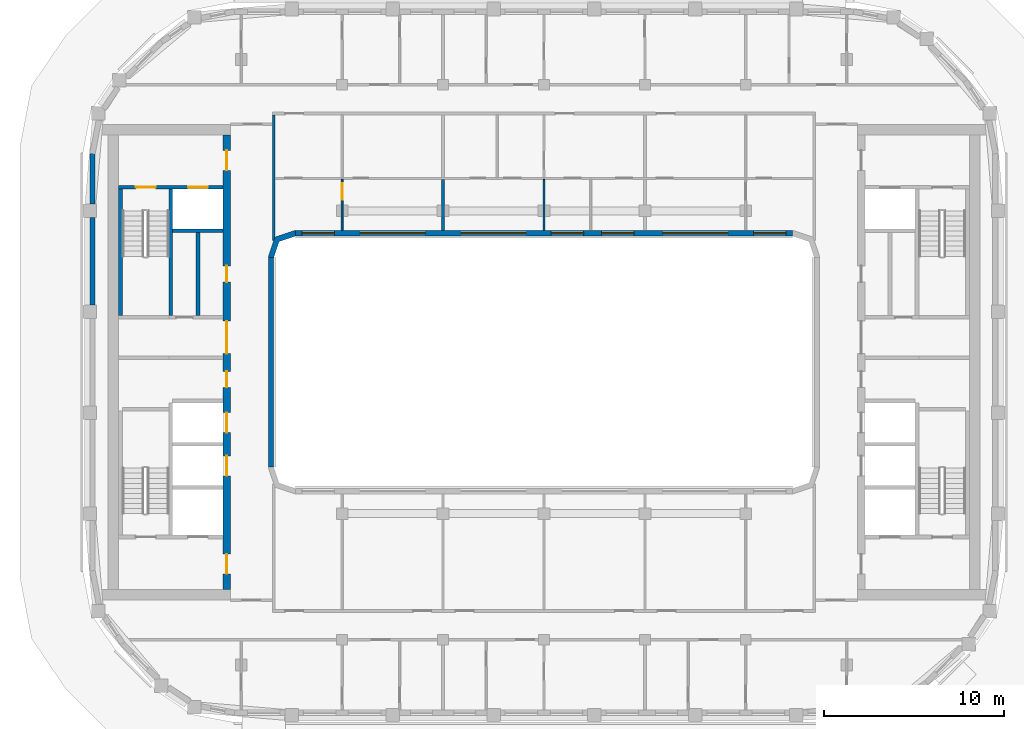
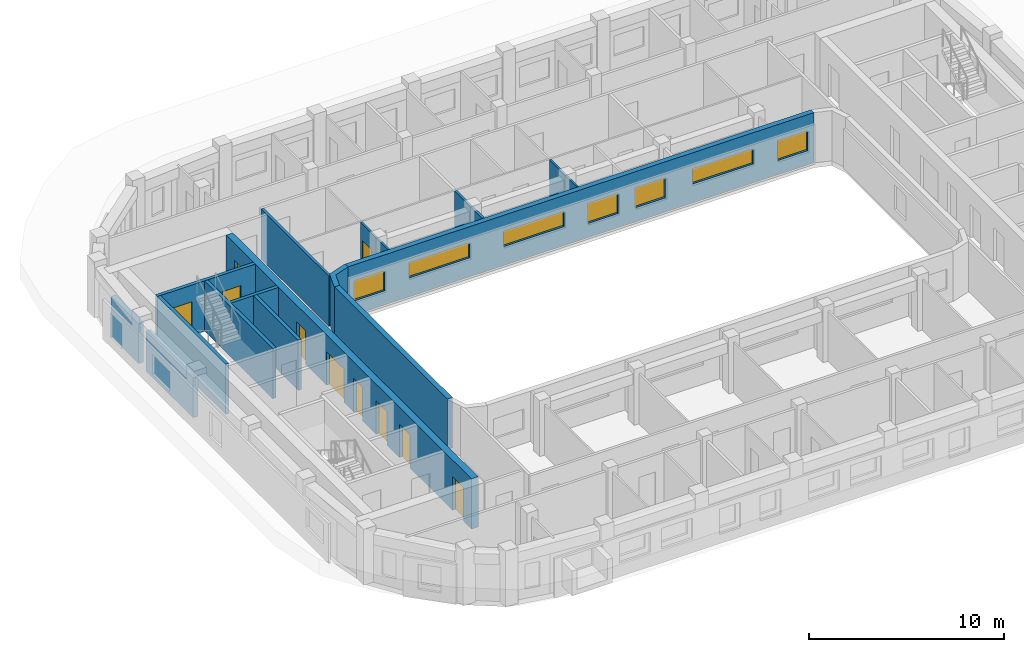
# One storey, part 4 of 14: 15 walls, 10 doors, 7 windows, 17 openings.
"""IFC4 building model written with IfcOpenShell, lengths in metres."""

from ifc_helpers import new_model, si_unit, direction, frame, frame_2d, origin, place, context, subcontext, project, spatial, polyline, rectangle, outline, extrude, material, layer, layer_set, type_object, element, fill, save


model = new_model("IFC4")

# Units and contexts
model_context = context("Model", 3, precision=1e-05, world=origin(), true_north=direction((0.0, 1.0)))
body_context = subcontext(model_context, "Body", "Model", "MODEL_VIEW")
ifc_project = project(units=[si_unit("LENGTHUNIT", "METRE"), si_unit("AREAUNIT", "SQUARE_METRE"), si_unit("VOLUMEUNIT", "CUBIC_METRE"), si_unit("PLANEANGLEUNIT", "RADIAN"), si_unit("MASSUNIT", "GRAM", prefix="KILO")], contexts=[model_context])

# Site, building, storey
site_placement = place(None, origin())
site = spatial("IfcSite", under=ifc_project, at=site_placement, CompositionType="ELEMENT")
building_placement = place(site_placement, origin())
building = spatial("IfcBuilding", under=site, at=building_placement, Name="Kiln Ring Residences", CompositionType="ELEMENT")
storey_placement = place(building_placement, frame((0.0, 0.0, 280.199951171875)))
storey = spatial("IfcBuildingStorey", under=building, at=storey_placement, Name="L73", CompositionType="ELEMENT", Elevation=280.199951171875)

# Walls
ifc_material_1 = material(Name="Gypsum board on steel studs", Category="steel")
ifc_layer_1 = layer(ifc_material_1, 0.199951171875)
ifc_layer_set_1 = layer_set([ifc_layer_1], Name="CORE-PARTITION-200")
wall_type_1 = type_object("IfcWallType", Name="CORE-PARTITION-200", PredefinedType="PARTITIONING", material=ifc_layer_set_1)
wall_1_placement = place(storey_placement, frame((-19.199951171875, 2.60009765625, 0.0), z_axis=(0.0, 0.0, 1.0), x_axis=(0.0, 1.0, 0.0)))
element("IfcWall", 1, at=wall_1_placement, inside=storey, type_object=wall_type_1, Name="Core partition west L73 2", PredefinedType="PARTITIONING", context=body_context, shape_type="SweptSolid", body=[
    extrude(rectangle(XDim=4.599853515625, YDim=0.199951171875, at=frame_2d((2.2998046875, 0.0))), origin(), (0.0, 0.0, 1.0), 3.150146484375),
])
ifc_material_2 = material(Name="Gypsum shaft wall system")
ifc_layer_2 = layer(ifc_material_2, 0.199951171875)
ifc_layer_set_2 = layer_set([ifc_layer_2], Name="CORE-SHAFT-WALL-200")
wall_type_2 = type_object("IfcWallType", Name="CORE-SHAFT-WALL-200", PredefinedType="PARTITIONING", material=ifc_layer_set_2)
wall_2_placement = place(storey_placement, frame((-17.800048828125, 7.300048828125, 0.0), z_axis=(0.0, 0.0, 1.0), x_axis=(-1.0, 0.0, 0.0)))
element("IfcWall", 2, at=wall_2_placement, inside=storey, type_object=wall_type_2, Name="Core partition west L73 8", PredefinedType="PARTITIONING", context=body_context, shape_type="SweptSolid", body=[
    extrude(rectangle(XDim=2.800048828125, YDim=0.199951171875, at=frame_2d((1.39990234375, 0.0))), origin(), (0.0, 0.0, 1.0), 3.150146484375),
])
ifc_material_3 = material(Name="Concrete C40/50", Category="concrete")
ifc_layer_3 = layer(ifc_material_3, 0.199951171875)
ifc_layer_set_3 = layer_set([ifc_layer_3], Name="CORE-WALL-RC200")
wall_type_3 = type_object("IfcWallType", Name="CORE-WALL-RC200", PredefinedType="SHEAR", material=ifc_layer_set_3)
wall_3_placement = place(storey_placement, frame((-20.699951171875, 2.60009765625, 0.0), z_axis=(0.0, 0.0, 1.0), x_axis=(0.0, 1.0, 0.0)))
element("IfcWall", 3, at=wall_3_placement, inside=storey, type_object=wall_type_3, Name="Core wall west L73 1", PredefinedType="SHEAR", context=body_context, shape_type="SweptSolid", body=[
    extrude(rectangle(XDim=7.0, YDim=0.199951171875, at=frame_2d((3.5, 0.0))), origin(), (0.0, 0.0, 1.0), 3.150146484375),
])

# Wall, openings, doors
wall_4_placement = place(storey_placement, frame((-17.800048828125, 9.699951171875, 0.0), z_axis=(0.0, 0.0, 1.0), x_axis=(-1.0, 0.0, 0.0)))
wall_4 = element("IfcWall", 4, at=wall_4_placement, inside=storey, type_object=wall_type_3, Name="Core wall west L73 9", PredefinedType="SHEAR", context=body_context, shape_type="SweptSolid", body=[
    extrude(rectangle(XDim=5.800048828125, YDim=0.199951171875, at=frame_2d((2.89990234375, 0.0))), origin(), (0.0, 0.0, 1.0), 3.150146484375),
])
opening_1_placement = place(wall_4_placement, frame((0.85009765625, 0.0, 0.0)))
opening_1 = element("IfcOpeningElement", 5, at=opening_1_placement, cuts=wall_4, Name="Opening L73-CW07", PredefinedType="OPENING", context=body_context, shape_type="SweptSolid", body=[
    extrude(rectangle(XDim=1.10009765625, YDim=2.10009765625, at=frame_2d((0.550048828125, 1.050048828125))), frame((0.0, 0.10986328125, 0.0), z_axis=(0.0, -1.0, 0.0), x_axis=(1.0, 0.0, 0.0)), (0.0, 0.0, 1.0), 0.219970703125),
])
opening_2_placement = place(wall_4_placement, frame((3.75, 0.0, 0.0)))
opening_2 = element("IfcOpeningElement", 6, at=opening_2_placement, cuts=wall_4, Name="Opening L73-CW10", PredefinedType="OPENING", context=body_context, shape_type="SweptSolid", body=[
    extrude(rectangle(XDim=1.10009765625, YDim=2.10009765625, at=frame_2d((0.550048828125, 1.050048828125))), frame((0.0, 0.10986328125, 0.0), z_axis=(0.0, -1.0, 0.0), x_axis=(1.0, 0.0, 0.0)), (0.0, 0.0, 1.0), 0.219970703125),
])
ifc_material_4 = material(Name="Steel door leaf", Category="steel")
door_type_1 = type_object("IfcDoorType", Name="CORE-DOOR-LD", OperationType="DOUBLE_DOOR_SLIDING", PredefinedType="DOOR", material=ifc_material_4)
door_1_placement = place(opening_1_placement, origin())
door_1 = element("IfcDoor", 7, at=door_1_placement, inside=storey, type_object=door_type_1, Name="LD W-FF L73-CW07", OperationType="DOUBLE_DOOR_SLIDING", OverallHeight=2.10009765625, OverallWidth=1.10009765625, PredefinedType="DOOR", context=body_context, shape_type="SweptSolid", body=[
    extrude(rectangle(XDim=1.10009765625, YDim=2.10009765625, at=frame_2d((0.550048828125, 1.050048828125))), frame((0.0, 0.02490234375, 0.0), z_axis=(0.0, -1.0, 0.0), x_axis=(1.0, 0.0, 0.0)), (0.0, 0.0, 1.0), 0.050048828125),
])
fill(opening_1, door_1)
ifc_material_5 = material(Name="Steel door leaf", Category="steel")
door_type_2 = type_object("IfcDoorType", Name="CORE-DOOR-STAIR", OperationType="SINGLE_SWING_LEFT", PredefinedType="DOOR", material=ifc_material_5)
door_2_placement = place(opening_2_placement, origin())
door_2 = element("IfcDoor", 8, at=door_2_placement, inside=storey, type_object=door_type_2, Name="Stair W-STN L73-CW10", OperationType="SINGLE_SWING_RIGHT", OverallHeight=2.10009765625, OverallWidth=1.10009765625, PredefinedType="DOOR", context=body_context, shape_type="SweptSolid", body=[
    extrude(rectangle(XDim=1.10009765625, YDim=2.10009765625, at=frame_2d((0.550048828125, 1.050048828125))), frame((0.0, 0.02490234375, 0.0), z_axis=(0.0, -1.0, 0.0), x_axis=(1.0, 0.0, 0.0)), (0.0, 0.0, 1.0), 0.050048828125),
])
fill(opening_2, door_2)

# Wall
wall_5_placement = place(storey_placement, frame((-23.5, 2.60009765625, 0.0), z_axis=(0.0, 0.0, 1.0), x_axis=(0.0, 1.0, 0.0)))
element("IfcWall", 9, at=wall_5_placement, inside=storey, type_object=wall_type_3, Name="Core wall west L73 10", PredefinedType="SHEAR", context=body_context, shape_type="SweptSolid", body=[
    extrude(rectangle(XDim=7.0, YDim=0.199951171875, at=frame_2d((3.5, 0.0))), origin(), (0.0, 0.0, 1.0), 3.150146484375),
])

# Wall, openings, doors
ifc_material_6 = material(Name="Concrete C60/75", Category="concrete")
ifc_layer_4 = layer(ifc_material_6, 0.39990234375)
ifc_layer_set_4 = layer_set([ifc_layer_4], Name="CORE-WALL-RC400")
wall_type_4 = type_object("IfcWallType", Name="CORE-WALL-RC400", PredefinedType="SHEAR", material=ifc_layer_set_4)
wall_6_placement = place(storey_placement, frame((-17.60009765625, -12.60009765625, 0.0), z_axis=(0.0, 0.0, 1.0), x_axis=(0.0, 1.0, 0.0)))
wall_6 = element("IfcWall", 10, at=wall_6_placement, inside=storey, type_object=wall_type_4, Name="Core wall west L73 6", PredefinedType="SHEAR", context=body_context, shape_type="SweptSolid", body=[
    extrude(rectangle(XDim=25.2001953125, YDim=0.39990234375, at=frame_2d((12.60009765625, 0.0))), origin(), (0.0, 0.0, 1.0), 3.150146484375),
])
opening_3_placement = place(wall_6_placement, frame((6.300048828125, 0.0, 0.0)))
opening_3 = element("IfcOpeningElement", 11, at=opening_3_placement, cuts=wall_6, Name="Opening L73-CW02", PredefinedType="OPENING", context=body_context, shape_type="SweptSolid", body=[
    extrude(rectangle(XDim=1.10009765625, YDim=2.10009765625, at=frame_2d((0.550048828125, 1.050048828125))), frame((0.0, 0.2099609375, 0.0), z_axis=(0.0, -1.0, 0.0), x_axis=(1.0, 0.0, 0.0)), (0.0, 0.0, 1.0), 0.419921875),
])
opening_4_placement = place(wall_6_placement, frame((8.699951171875, 0.0, 0.0)))
opening_4 = element("IfcOpeningElement", 12, at=opening_4_placement, cuts=wall_6, Name="Opening L73-CW03", PredefinedType="OPENING", context=body_context, shape_type="SweptSolid", body=[
    extrude(rectangle(XDim=1.10009765625, YDim=2.10009765625, at=frame_2d((0.550048828125, 1.050048828125))), frame((0.0, 0.2099609375, 0.0), z_axis=(0.0, -1.0, 0.0), x_axis=(1.0, 0.0, 0.0)), (0.0, 0.0, 1.0), 0.419921875),
])
opening_5_placement = place(wall_6_placement, frame((11.199951171875, 0.0, 0.0)))
opening_5 = element("IfcOpeningElement", 13, at=opening_5_placement, cuts=wall_6, Name="Opening L73-CW04", PredefinedType="OPENING", context=body_context, shape_type="SweptSolid", body=[
    extrude(rectangle(XDim=0.89990234375, YDim=2.10009765625, at=frame_2d((0.449951171875, 1.050048828125))), frame((0.0, 0.2099609375, 0.0), z_axis=(0.0, -1.0, 0.0), x_axis=(1.0, 0.0, 0.0)), (0.0, 0.0, 1.0), 0.419921875),
])
opening_6_placement = place(wall_6_placement, frame((17.050048828125, 0.0, 0.0)))
opening_6 = element("IfcOpeningElement", 14, at=opening_6_placement, cuts=wall_6, Name="Opening L73-CW05", PredefinedType="OPENING", context=body_context, shape_type="SweptSolid", body=[
    extrude(rectangle(XDim=0.89990234375, YDim=2.10009765625, at=frame_2d((0.449951171875, 1.050048828125))), frame((0.0, 0.2099609375, 0.0), z_axis=(0.0, -1.0, 0.0), x_axis=(1.0, 0.0, 0.0)), (0.0, 0.0, 1.0), 0.419921875),
])
opening_7_placement = place(wall_6_placement, frame((23.25, 0.0, 0.0)))
opening_7 = element("IfcOpeningElement", 15, at=opening_7_placement, cuts=wall_6, Name="Opening L73-CW08", PredefinedType="OPENING", context=body_context, shape_type="SweptSolid", body=[
    extrude(rectangle(XDim=1.10009765625, YDim=2.10009765625, at=frame_2d((0.550048828125, 1.050048828125))), frame((0.0, 0.2099609375, 0.0), z_axis=(0.0, -1.0, 0.0), x_axis=(1.0, 0.0, 0.0)), (0.0, 0.0, 1.0), 0.419921875),
])
opening_8_placement = place(wall_6_placement, frame((0.85009765625, 0.0, 0.0)))
opening_8 = element("IfcOpeningElement", 16, at=opening_8_placement, cuts=wall_6, Name="Opening L73-CW09", PredefinedType="OPENING", context=body_context, shape_type="SweptSolid", body=[
    extrude(rectangle(XDim=1.10009765625, YDim=2.10009765625, at=frame_2d((0.550048828125, 1.050048828125))), frame((0.0, 0.2099609375, 0.0), z_axis=(0.0, -1.0, 0.0), x_axis=(1.0, 0.0, 0.0)), (0.0, 0.0, 1.0), 0.419921875),
])
opening_9_placement = place(wall_6_placement, frame((13.074951171875, 0.0, 0.0)))
opening_9 = element("IfcOpeningElement", 17, at=opening_9_placement, cuts=wall_6, Name="Opening L73-CW12", PredefinedType="OPENING", context=body_context, shape_type="SweptSolid", body=[
    extrude(rectangle(XDim=1.800048828125, YDim=2.10009765625, at=frame_2d((0.89990234375, 1.050048828125))), frame((0.0, 0.2099609375, 0.0), z_axis=(0.0, -1.0, 0.0), x_axis=(1.0, 0.0, 0.0)), (0.0, 0.0, 1.0), 0.419921875),
])
door_3_placement = place(opening_3_placement, origin())
door_3 = element("IfcDoor", 18, at=door_3_placement, inside=storey, type_object=door_type_1, Name="LD W-H1 L73-CW02", OperationType="DOUBLE_DOOR_SLIDING", OverallHeight=2.10009765625, OverallWidth=1.10009765625, PredefinedType="DOOR", context=body_context, shape_type="SweptSolid", body=[
    extrude(rectangle(XDim=1.10009765625, YDim=2.10009765625, at=frame_2d((0.550048828125, 1.050048828125))), frame((0.0, 0.02490234375, 0.0), z_axis=(0.0, -1.0, 0.0), x_axis=(1.0, 0.0, 0.0)), (0.0, 0.0, 1.0), 0.050048828125),
])
fill(opening_3, door_3)
door_4_placement = place(opening_4_placement, origin())
door_4 = element("IfcDoor", 19, at=door_4_placement, inside=storey, type_object=door_type_1, Name="LD W-H2 L73-CW03", OperationType="DOUBLE_DOOR_SLIDING", OverallHeight=2.10009765625, OverallWidth=1.10009765625, PredefinedType="DOOR", context=body_context, shape_type="SweptSolid", body=[
    extrude(rectangle(XDim=1.10009765625, YDim=2.10009765625, at=frame_2d((0.550048828125, 1.050048828125))), frame((0.0, 0.02490234375, 0.0), z_axis=(0.0, -1.0, 0.0), x_axis=(1.0, 0.0, 0.0)), (0.0, 0.0, 1.0), 0.050048828125),
])
fill(opening_4, door_4)
ifc_material_7 = material(Name="Steel door leaf", Category="steel")
door_type_3 = type_object("IfcDoorType", Name="CORE-DOOR-LOBBY", OperationType="SINGLE_SWING_LEFT", PredefinedType="DOOR", material=ifc_material_7)
door_5_placement = place(opening_7_placement, origin())
door_5 = element("IfcDoor", 20, at=door_5_placement, inside=storey, type_object=door_type_3, Name="FFL L73-CW08", OperationType="SINGLE_SWING_LEFT", OverallHeight=2.10009765625, OverallWidth=1.10009765625, PredefinedType="DOOR", context=body_context, shape_type="SweptSolid", body=[
    extrude(rectangle(XDim=1.10009765625, YDim=2.10009765625, at=frame_2d((0.550048828125, 1.050048828125))), frame((0.0, 0.02490234375, 0.0), z_axis=(0.0, -1.0, 0.0), x_axis=(1.0, 0.0, 0.0)), (0.0, 0.0, 1.0), 0.050048828125),
])
fill(opening_7, door_5)
door_6_placement = place(opening_8_placement, origin())
door_6 = element("IfcDoor", 21, at=door_6_placement, inside=storey, type_object=door_type_3, Name="SVL L73-CW09", OperationType="SINGLE_SWING_RIGHT", OverallHeight=2.10009765625, OverallWidth=1.10009765625, PredefinedType="DOOR", context=body_context, shape_type="SweptSolid", body=[
    extrude(rectangle(XDim=1.10009765625, YDim=2.10009765625, at=frame_2d((0.550048828125, 1.050048828125))), frame((0.0, 0.02490234375, 0.0), z_axis=(0.0, -1.0, 0.0), x_axis=(1.0, 0.0, 0.0)), (0.0, 0.0, 1.0), 0.050048828125),
])
fill(opening_8, door_6)
ifc_material_8 = material(Name="Steel door leaf", Category="steel")
door_type_4 = type_object("IfcDoorType", Name="CORE-DOOR-PASS", OperationType="DOUBLE_DOOR_SINGLE_SWING", PredefinedType="DOOR", material=ifc_material_8)
door_7_placement = place(opening_9_placement, origin())
door_7 = element("IfcDoor", 22, at=door_7_placement, inside=storey, type_object=door_type_4, Name="Core passage L73-CW12", OperationType="DOUBLE_DOOR_SINGLE_SWING", OverallHeight=2.10009765625, OverallWidth=1.800048828125, PredefinedType="DOOR", context=body_context, shape_type="SweptSolid", body=[
    extrude(rectangle(XDim=1.800048828125, YDim=2.10009765625, at=frame_2d((0.89990234375, 1.050048828125))), frame((0.0, 0.02490234375, 0.0), z_axis=(0.0, -1.0, 0.0), x_axis=(1.0, 0.0, 0.0)), (0.0, 0.0, 1.0), 0.050048828125),
])
fill(opening_9, door_7)
ifc_material_9 = material(Name="Steel door leaf", Category="steel")
door_type_5 = type_object("IfcDoorType", Name="CORE-DOOR-ROOM", OperationType="SINGLE_SWING_LEFT", PredefinedType="DOOR", material=ifc_material_9)
door_8_placement = place(opening_5_placement, origin())
door_8 = element("IfcDoor", 23, at=door_8_placement, inside=storey, type_object=door_type_5, Name="Linen store L73-CW04", OperationType="SINGLE_SWING_RIGHT", OverallHeight=2.10009765625, OverallWidth=0.89990234375, PredefinedType="DOOR", context=body_context, shape_type="SweptSolid", body=[
    extrude(rectangle(XDim=0.89990234375, YDim=2.10009765625, at=frame_2d((0.449951171875, 1.050048828125))), frame((0.0, 0.02490234375, 0.0), z_axis=(0.0, -1.0, 0.0), x_axis=(1.0, 0.0, 0.0)), (0.0, 0.0, 1.0), 0.050048828125),
])
fill(opening_5, door_8)
door_9_placement = place(opening_6_placement, origin())
door_9 = element("IfcDoor", 24, at=door_9_placement, inside=storey, type_object=door_type_5, Name="Janitor's store L73-CW05", OperationType="SINGLE_SWING_LEFT", OverallHeight=2.10009765625, OverallWidth=0.89990234375, PredefinedType="DOOR", context=body_context, shape_type="SweptSolid", body=[
    extrude(rectangle(XDim=0.89990234375, YDim=2.10009765625, at=frame_2d((0.449951171875, 1.050048828125))), frame((0.0, 0.02490234375, 0.0), z_axis=(0.0, -1.0, 0.0), x_axis=(1.0, 0.0, 0.0)), (0.0, 0.0, 1.0), 0.050048828125),
])
fill(opening_6, door_9)

# Walls
ifc_material_10 = material(Name="Brick masonry, dark clay brick", Category="masonry")
ifc_layer_5 = layer(ifc_material_10, 0.300048828125)
ifc_layer_set_5 = layer_set([ifc_layer_5], Name="EW-300 BRICK WALL")
wall_type_5 = type_object("IfcWallType", Name="EW-300 BRICK WALL", PredefinedType="SOLIDWALL", material=ifc_layer_set_5)
wall_7_placement = place(storey_placement, frame((-25.050048828125, 11.60009765625, 0.0), z_axis=(0.0, 0.0, 1.0), x_axis=(0.0, -1.0, 0.0)))
element("IfcWall", 25, at=wall_7_placement, inside=storey, type_object=wall_type_5, Name="Facade wall L73 38", PredefinedType="SOLIDWALL", context=body_context, shape_type="SweptSolid", body=[
    extrude(rectangle(XDim=2.8251953125, YDim=0.300048828125, at=frame_2d((1.41259765625, 0.0))), origin(), (0.0, 0.0, 1.0), 2.5),
])
wall_8_placement = place(storey_placement, frame((-25.050048828125, 8.02490234375, 0.0), z_axis=(0.0, 0.0, 1.0), x_axis=(0.0, -1.0, 0.0)))
element("IfcWall", 26, at=wall_8_placement, inside=storey, type_object=wall_type_5, Name="Facade wall L73 39", PredefinedType="SOLIDWALL", context=body_context, shape_type="SweptSolid", body=[
    extrude(rectangle(XDim=4.849853515625, YDim=0.300048828125, at=frame_2d((2.4248046875, 0.0))), origin(), (0.0, 0.0, 1.0), 2.5),
])
wall_9_placement = place(storey_placement, frame((-15.14990234375, -5.800048828125, 0.0), z_axis=(0.0, 0.0, 1.0), x_axis=(0.0, 1.0, 0.0)))
element("IfcWall", 27, at=wall_9_placement, inside=storey, type_object=wall_type_5, Name="Facade wall L73 45", PredefinedType="SOLIDWALL", context=body_context, shape_type="SweptSolid", body=[
    extrude(rectangle(XDim=11.60009765625, YDim=0.300048828125, at=frame_2d((5.800048828125, 0.0))), origin(), (0.0, 0.0, 1.0), 3.150146484375),
])

# Wall, openings, windows
wall_10_placement = place(storey_placement, frame((-13.800048828125, 7.14990234375, 0.0), z_axis=(0.0, 0.0, 1.0), x_axis=(1.0, 0.0, 0.0)))
wall_10 = element("IfcWall", 28, at=wall_10_placement, inside=storey, type_object=wall_type_5, Name="Facade wall L73 46", PredefinedType="SOLIDWALL", context=body_context, shape_type="SweptSolid", body=[
    extrude(rectangle(XDim=27.60009765625, YDim=0.300048828125, at=frame_2d((13.800048828125, 0.0))), origin(), (0.0, 0.0, 1.0), 3.150146484375),
])
opening_10_placement = place(wall_10_placement, frame((0.362548828125, 0.0, 0.89990234375)))
opening_10 = element("IfcOpeningElement", 29, at=opening_10_placement, cuts=wall_10, Name="Opening W2", PredefinedType="OPENING", context=body_context, shape_type="SweptSolid", body=[
    extrude(rectangle(XDim=1.800048828125, YDim=1.25, at=frame_2d((0.89990234375, 0.625))), frame((0.0, 0.159912109375, 0.0), z_axis=(0.0, -1.0, 0.0), x_axis=(1.0, 0.0, 0.0)), (0.0, 0.0, 1.0), 0.320068359375),
])
opening_11_placement = place(wall_10_placement, frame((3.60009765625, 0.0, 1.199951171875)))
opening_11 = element("IfcOpeningElement", 30, at=opening_11_placement, cuts=wall_10, Name="Opening W4", PredefinedType="OPENING", context=body_context, shape_type="SweptSolid", body=[
    extrude(rectangle(XDim=3.60009765625, YDim=0.949951171875, at=frame_2d((1.800048828125, 0.47509765625))), frame((0.0, 0.159912109375, 0.0), z_axis=(0.0, -1.0, 0.0), x_axis=(1.0, 0.0, 0.0)), (0.0, 0.0, 1.0), 0.320068359375),
])
opening_12_placement = place(wall_10_placement, frame((9.199951171875, 0.0, 1.199951171875)))
opening_12 = element("IfcOpeningElement", 31, at=opening_12_placement, cuts=wall_10, Name="Opening W4", PredefinedType="OPENING", context=body_context, shape_type="SweptSolid", body=[
    extrude(rectangle(XDim=3.60009765625, YDim=0.949951171875, at=frame_2d((1.800048828125, 0.47509765625))), frame((0.0, 0.159912109375, 0.0), z_axis=(0.0, -1.0, 0.0), x_axis=(1.0, 0.0, 0.0)), (0.0, 0.0, 1.0), 0.320068359375),
])
opening_13_placement = place(wall_10_placement, frame((14.199951171875, 0.0, 0.89990234375)))
opening_13 = element("IfcOpeningElement", 32, at=opening_13_placement, cuts=wall_10, Name="Opening W2", PredefinedType="OPENING", context=body_context, shape_type="SweptSolid", body=[
    extrude(rectangle(XDim=1.800048828125, YDim=1.25, at=frame_2d((0.89990234375, 0.625))), frame((0.0, 0.159912109375, 0.0), z_axis=(0.0, -1.0, 0.0), x_axis=(1.0, 0.0, 0.0)), (0.0, 0.0, 1.0), 0.320068359375),
])
opening_14_placement = place(wall_10_placement, frame((17.0, 0.0, 0.89990234375)))
opening_14 = element("IfcOpeningElement", 33, at=opening_14_placement, cuts=wall_10, Name="Opening W2", PredefinedType="OPENING", context=body_context, shape_type="SweptSolid", body=[
    extrude(rectangle(XDim=1.800048828125, YDim=1.25, at=frame_2d((0.89990234375, 0.625))), frame((0.0, 0.159912109375, 0.0), z_axis=(0.0, -1.0, 0.0), x_axis=(1.0, 0.0, 0.0)), (0.0, 0.0, 1.0), 0.320068359375),
])
opening_15_placement = place(wall_10_placement, frame((20.39990234375, 0.0, 1.199951171875)))
opening_15 = element("IfcOpeningElement", 34, at=opening_15_placement, cuts=wall_10, Name="Opening W4", PredefinedType="OPENING", context=body_context, shape_type="SweptSolid", body=[
    extrude(rectangle(XDim=3.60009765625, YDim=0.949951171875, at=frame_2d((1.800048828125, 0.47509765625))), frame((0.0, 0.159912109375, 0.0), z_axis=(0.0, -1.0, 0.0), x_axis=(1.0, 0.0, 0.0)), (0.0, 0.0, 1.0), 0.320068359375),
])
opening_16_placement = place(wall_10_placement, frame((25.4375, 0.0, 0.89990234375)))
opening_16 = element("IfcOpeningElement", 35, at=opening_16_placement, cuts=wall_10, Name="Opening W2", PredefinedType="OPENING", context=body_context, shape_type="SweptSolid", body=[
    extrude(rectangle(XDim=1.800048828125, YDim=1.25, at=frame_2d((0.89990234375, 0.625))), frame((0.0, 0.159912109375, 0.0), z_axis=(0.0, -1.0, 0.0), x_axis=(1.0, 0.0, 0.0)), (0.0, 0.0, 1.0), 0.320068359375),
])
ifc_material_11 = material(Name="Aluminium frame with double glazing", Category="aluminium")
window_type_1 = type_object("IfcWindowType", Name="WINDOW 1800 x 1250", PartitioningType="SINGLE_PANEL", PredefinedType="WINDOW", material=ifc_material_11)
window_1_placement = place(opening_10_placement, origin())
window_1 = element("IfcWindow", 36, at=window_1_placement, inside=storey, type_object=window_type_1, Name="Window L73 37", OverallHeight=1.25, OverallWidth=1.800048828125, PartitioningType="SINGLE_PANEL", PredefinedType="WINDOW", context=body_context, shape_type="SweptSolid", body=[
    extrude(rectangle(XDim=1.800048828125, YDim=1.25, at=frame_2d((0.89990234375, 0.625))), frame((0.0, 0.030029296875, 0.0), z_axis=(0.0, -1.0, 0.0), x_axis=(1.0, 0.0, 0.0)), (0.0, 0.0, 1.0), 0.06005859375),
])
fill(opening_10, window_1)
window_2_placement = place(opening_13_placement, origin())
window_2 = element("IfcWindow", 37, at=window_2_placement, inside=storey, type_object=window_type_1, Name="Window L73 40", OverallHeight=1.25, OverallWidth=1.800048828125, PartitioningType="SINGLE_PANEL", PredefinedType="WINDOW", context=body_context, shape_type="SweptSolid", body=[
    extrude(rectangle(XDim=1.800048828125, YDim=1.25, at=frame_2d((0.89990234375, 0.625))), frame((0.0, 0.030029296875, 0.0), z_axis=(0.0, -1.0, 0.0), x_axis=(1.0, 0.0, 0.0)), (0.0, 0.0, 1.0), 0.06005859375),
])
fill(opening_13, window_2)
window_3_placement = place(opening_14_placement, origin())
window_3 = element("IfcWindow", 38, at=window_3_placement, inside=storey, type_object=window_type_1, Name="Window L73 41", OverallHeight=1.25, OverallWidth=1.800048828125, PartitioningType="SINGLE_PANEL", PredefinedType="WINDOW", context=body_context, shape_type="SweptSolid", body=[
    extrude(rectangle(XDim=1.800048828125, YDim=1.25, at=frame_2d((0.89990234375, 0.625))), frame((0.0, 0.030029296875, 0.0), z_axis=(0.0, -1.0, 0.0), x_axis=(1.0, 0.0, 0.0)), (0.0, 0.0, 1.0), 0.06005859375),
])
fill(opening_14, window_3)
window_4_placement = place(opening_16_placement, origin())
window_4 = element("IfcWindow", 39, at=window_4_placement, inside=storey, type_object=window_type_1, Name="Window L73 43", OverallHeight=1.25, OverallWidth=1.800048828125, PartitioningType="SINGLE_PANEL", PredefinedType="WINDOW", context=body_context, shape_type="SweptSolid", body=[
    extrude(rectangle(XDim=1.800048828125, YDim=1.25, at=frame_2d((0.89990234375, 0.625))), frame((0.0, 0.030029296875, 0.0), z_axis=(0.0, -1.0, 0.0), x_axis=(1.0, 0.0, 0.0)), (0.0, 0.0, 1.0), 0.06005859375),
])
fill(opening_16, window_4)
ifc_material_12 = material(Name="Aluminium frame with double glazing", Category="aluminium")
window_type_2 = type_object("IfcWindowType", Name="WINDOW 3600 x 950", PartitioningType="SINGLE_PANEL", PredefinedType="WINDOW", material=ifc_material_12)
window_5_placement = place(opening_11_placement, origin())
window_5 = element("IfcWindow", 40, at=window_5_placement, inside=storey, type_object=window_type_2, Name="Window L73 38", OverallHeight=0.949951171875, OverallWidth=3.60009765625, PartitioningType="SINGLE_PANEL", PredefinedType="WINDOW", context=body_context, shape_type="SweptSolid", body=[
    extrude(rectangle(XDim=3.60009765625, YDim=0.949951171875, at=frame_2d((1.800048828125, 0.47509765625))), frame((0.0, 0.030029296875, 0.0), z_axis=(0.0, -1.0, 0.0), x_axis=(1.0, 0.0, 0.0)), (0.0, 0.0, 1.0), 0.06005859375),
])
fill(opening_11, window_5)
window_6_placement = place(opening_12_placement, origin())
window_6 = element("IfcWindow", 41, at=window_6_placement, inside=storey, type_object=window_type_2, Name="Window L73 39", OverallHeight=0.949951171875, OverallWidth=3.60009765625, PartitioningType="SINGLE_PANEL", PredefinedType="WINDOW", context=body_context, shape_type="SweptSolid", body=[
    extrude(rectangle(XDim=3.60009765625, YDim=0.949951171875, at=frame_2d((1.800048828125, 0.47509765625))), frame((0.0, 0.030029296875, 0.0), z_axis=(0.0, -1.0, 0.0), x_axis=(1.0, 0.0, 0.0)), (0.0, 0.0, 1.0), 0.06005859375),
])
fill(opening_12, window_6)
window_7_placement = place(opening_15_placement, origin())
window_7 = element("IfcWindow", 42, at=window_7_placement, inside=storey, type_object=window_type_2, Name="Window L73 42", OverallHeight=0.949951171875, OverallWidth=3.60009765625, PartitioningType="SINGLE_PANEL", PredefinedType="WINDOW", context=body_context, shape_type="SweptSolid", body=[
    extrude(rectangle(XDim=3.60009765625, YDim=0.949951171875, at=frame_2d((1.800048828125, 0.47509765625))), frame((0.0, 0.030029296875, 0.0), z_axis=(0.0, -1.0, 0.0), x_axis=(1.0, 0.0, 0.0)), (0.0, 0.0, 1.0), 0.06005859375),
])
fill(opening_15, window_7)

# Wall
wall_11_placement = place(storey_placement, origin())
element("IfcWall", 43, at=wall_11_placement, inside=storey, type_object=wall_type_5, Name="Corner wall L73 1", PredefinedType="SOLIDWALL", context=body_context, shape_type="SweptSolid", body=[
    extrude(outline(polyline([(-13.8486328125, 7.300048828125), (-14.937255859375, 6.937255859375), (-15.300048828125, 5.8486328125), (-15.300048828125, 5.800048828125), (-15.0, 5.800048828125), (-14.699951171875, 6.699951171875), (-13.800048828125, 7.0), (-13.800048828125, 7.300048828125), (-13.8486328125, 7.300048828125)])), origin(), (0.0, 0.0, 1.0), 3.150146484375),
])

# Wall, opening, door
ifc_material_13 = material(Name="Gypsum board on steel studs", Category="steel")
ifc_layer_6 = layer(ifc_material_13, 0.10009765625)
ifc_layer_set_6 = layer_set([ifc_layer_6], Name="PARTITION-100")
wall_type_6 = type_object("IfcWallType", Name="PARTITION-100", PredefinedType="PARTITIONING", material=ifc_layer_set_6)
wall_12_placement = place(storey_placement, frame((-11.199951171875, 7.320068359375, 0.0), z_axis=(0.0, 0.0, 1.0), x_axis=(0.0, 1.0, 0.0)))
wall_12 = element("IfcWall", 44, at=wall_12_placement, inside=storey, type_object=wall_type_6, Name="Partition 015", PredefinedType="PARTITIONING", context=body_context, shape_type="SweptSolid", body=[
    extrude(rectangle(XDim=2.829833984375, YDim=0.10009765625, at=frame_2d((1.4150390625, 0.0))), origin(), (0.0, 0.0, 1.0), 3.150146484375),
])
opening_17_placement = place(wall_12_placement, frame((1.699951171875, 0.0, 0.0)))
opening_17 = element("IfcOpeningElement", 45, at=opening_17_placement, cuts=wall_12, Name="Opening L73-D008", PredefinedType="OPENING", context=body_context, shape_type="SweptSolid", body=[
    extrude(rectangle(XDim=0.89990234375, YDim=2.10009765625, at=frame_2d((0.449951171875, 1.050048828125))), frame((0.0, 0.06005859375, 0.0), z_axis=(0.0, -1.0, 0.0), x_axis=(1.0, 0.0, 0.0)), (0.0, 0.0, 1.0), 0.1201171875),
])
ifc_material_14 = material(Name="Timber door leaf", Category="wood")
door_type_6 = type_object("IfcDoorType", Name="FLAT-DOOR-900-PL", OperationType="SINGLE_SWING_LEFT", PredefinedType="DOOR", material=ifc_material_14)
door_10_placement = place(opening_17_placement, origin())
door_10 = element("IfcDoor", 46, at=door_10_placement, inside=storey, type_object=door_type_6, Name="Door L73-D008", OperationType="SINGLE_SWING_RIGHT", OverallHeight=2.10009765625, OverallWidth=0.89990234375, PredefinedType="DOOR", context=body_context, shape_type="SweptSolid", body=[
    extrude(rectangle(XDim=0.89990234375, YDim=2.10009765625, at=frame_2d((0.449951171875, 1.050048828125))), frame((0.0, 0.02490234375, 0.0), z_axis=(0.0, -1.0, 0.0), x_axis=(1.0, 0.0, 0.0)), (0.0, 0.0, 1.0), 0.050048828125),
])
fill(opening_17, door_10)

# Walls
wall_13_placement = place(storey_placement, frame((0.0, 7.320068359375, 0.0), z_axis=(0.0, 0.0, 1.0), x_axis=(0.0, 1.0, 0.0)))
element("IfcWall", 47, at=wall_13_placement, inside=storey, type_object=wall_type_6, Name="Partition 030", PredefinedType="PARTITIONING", context=body_context, shape_type="SweptSolid", body=[
    extrude(rectangle(XDim=2.829833984375, YDim=0.10009765625, at=frame_2d((1.4150390625, 0.0))), origin(), (0.0, 0.0, 1.0), 3.150146484375),
])
ifc_material_15 = material(Name="Brick masonry partition", Category="masonry")
ifc_layer_7 = layer(ifc_material_15, 0.14990234375)
ifc_layer_set_7 = layer_set([ifc_layer_7], Name="PARTITION-150-ei60")
wall_type_7 = type_object("IfcWallType", Name="PARTITION-150-ei60", PredefinedType="PARTITIONING", material=ifc_layer_set_7)
wall_14_placement = place(storey_placement, frame((-15.0, 6.768798828125, 0.0), z_axis=(0.0, 0.0, 1.0), x_axis=(0.0, 1.0, 0.0)))
element("IfcWall", 48, at=wall_14_placement, inside=storey, type_object=wall_type_7, Name="Partition 012", PredefinedType="PARTITIONING", context=body_context, shape_type="SweptSolid", body=[
    extrude(rectangle(XDim=6.956298828125, YDim=0.14990234375, at=frame_2d((3.47802734375, 0.0))), origin(), (0.0, 0.0, 1.0), 3.150146484375),
])
wall_15_placement = place(storey_placement, frame((-5.60009765625, 7.320068359375, 0.0), z_axis=(0.0, 0.0, 1.0), x_axis=(0.0, 1.0, 0.0)))
element("IfcWall", 49, at=wall_15_placement, inside=storey, type_object=wall_type_7, Name="Partition 022", PredefinedType="PARTITIONING", context=body_context, shape_type="SweptSolid", body=[
    extrude(rectangle(XDim=2.829833984375, YDim=0.14990234375, at=frame_2d((1.4150390625, 0.0))), origin(), (0.0, 0.0, 1.0), 3.150146484375),
])

save(model, "model.ifc")
